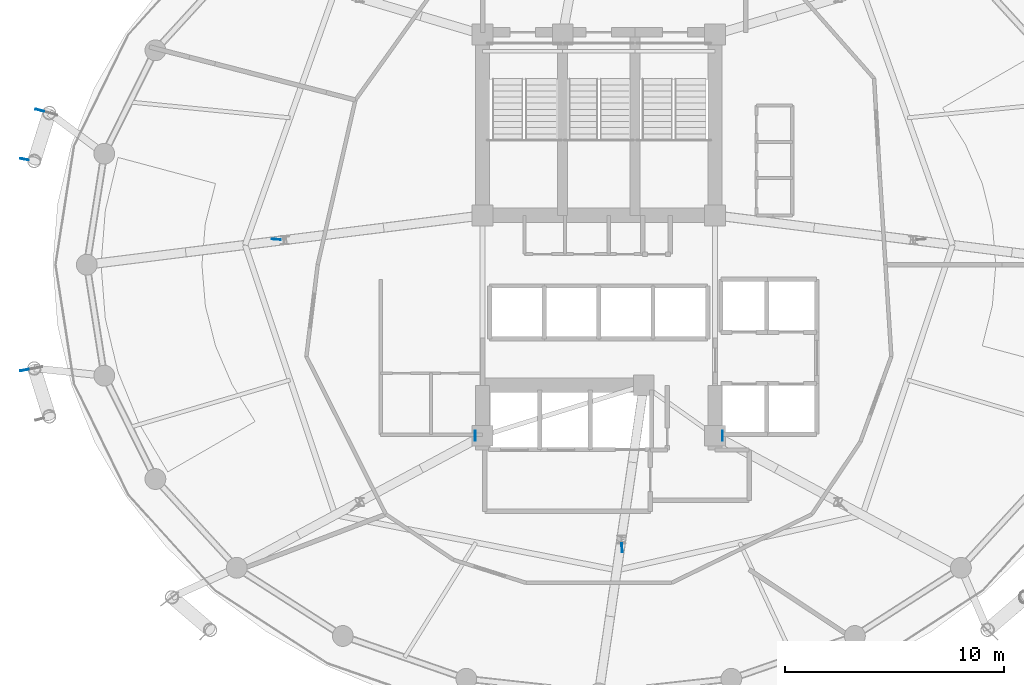
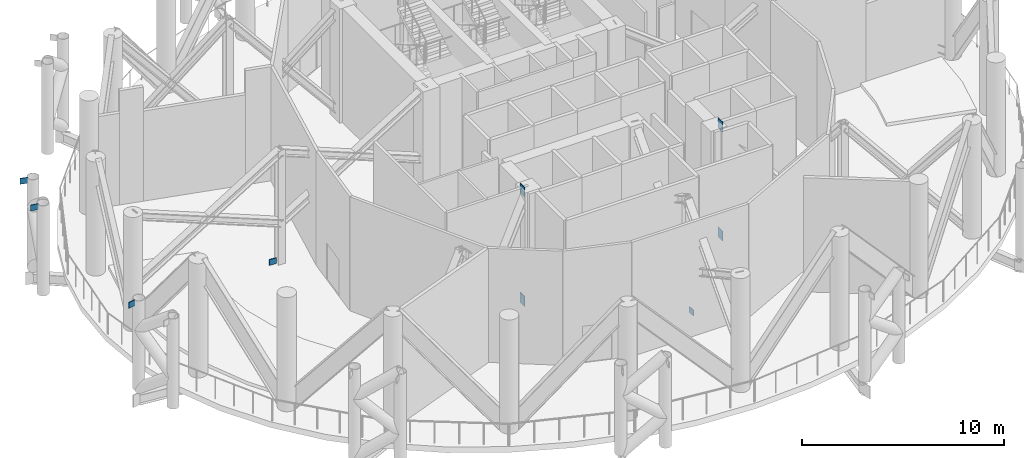
# One storey, part 11 of 18: 9 discrete accessories.
"""IFC4 building model written with IfcOpenShell, lengths in metres."""

from ifc_helpers import new_model, si_unit, direction, frame, origin, origin_2d, place, context, subcontext, project, spatial, rectangle, extrude, material, type_object, element, save


model = new_model("IFC4")

# Units and contexts
model_context = context("Model", 3, precision=1e-05, world=origin(), true_north=direction((0.0, 1.0)))
body_context = subcontext(model_context, "Body", "Model", "MODEL_VIEW")
ifc_project = project(units=[si_unit("LENGTHUNIT", "METRE"), si_unit("AREAUNIT", "SQUARE_METRE"), si_unit("VOLUMEUNIT", "CUBIC_METRE"), si_unit("PLANEANGLEUNIT", "RADIAN"), si_unit("MASSUNIT", "GRAM", prefix="KILO")], contexts=[model_context])

# Site, building, storey
site_placement = place(None, origin())
site = spatial("IfcSite", under=ifc_project, at=site_placement, CompositionType="ELEMENT")
building_placement = place(site_placement, origin())
building = spatial("IfcBuilding", under=site, at=building_placement, Name="Nuhasar Tower", CompositionType="ELEMENT")
storey_placement = place(building_placement, frame((0.0, 0.0, 195.949951171875)))
storey = spatial("IfcBuildingStorey", under=building, at=storey_placement, Name="L48", CompositionType="ELEMENT", Elevation=195.949951171875)

# Discrete accessories
ifc_material = material(Name="Steel S460", Category="steel")
discrete_accessory_type_1 = type_object("IfcDiscreteAccessoryType", Name="ACC-EMB-30", PredefinedType="USERDEFINED", material=ifc_material)
for number, where, z_axis, x_axis, name in (
    (1, (33.360107421875, 19.0, -0.14990234375), (0.0, 0.0, 1.0), (1.0, 0.0, 0.0), "L48 Outrigger Diagonal Core Wall Cast-in Plate 01-LO"),
    (2, (33.360107421875, 19.0, 6.429931640625), (0.0, 0.0, 1.0), (1.0, 0.0, 0.0), "L48 Outrigger Diagonal Core Wall Cast-in Plate 01-HI"),
    (3, (44.639892578125, 19.0, -0.14990234375), (0.0, 0.0, 1.0), (1.0, 0.0, 0.0), "L48 Outrigger Diagonal Core Wall Cast-in Plate 03-LO"),
    (4, (44.639892578125, 19.0, 6.429931640625), (0.0, 0.0, 1.0), (1.0, 0.0, 0.0), "L48 Outrigger Diagonal Core Wall Cast-in Plate 03-HI"),
):
    element("IfcDiscreteAccessory", number, at=place(storey_placement, frame(where, z_axis=z_axis, x_axis=x_axis)), inside=storey, type_object=discrete_accessory_type_1, Name=name, ObjectType="CAST_IN_PLATE", PredefinedType="USERDEFINED", context=body_context, shape_type="SweptSolid", body=[
        extrude(rectangle(XDim=0.030029296875, YDim=0.449951171875, at=origin_2d()), origin(), (0.0, 0.0, 1.0), 0.60009765625),
    ])
discrete_accessory_type_2 = type_object("IfcDiscreteAccessoryType", Name="ACC-GUS-40", PredefinedType="USERDEFINED", material=ifc_material)
for number, where, z_axis, x_axis, name in (
    (5, (13.5009765625, 33.842041015625, 5.080078125), (0.0, 0.0, 1.0), (-0.963914422589, 0.266212294842, 0.0), "L48 Exoskeleton Chord Column EC-06A Gusset Plate"),
    (6, (12.803955078125, 31.60791015625, 5.080078125), (0.0, 0.0, 1.0), (-0.98356832001, 0.180536311784, 0.0), "L48 Exoskeleton Chord Column EC-06B Gusset Plate"),
    (7, (12.803955078125, 21.991943359375, 5.080078125), (0.0, 0.0, 1.0), (-0.98356832001, -0.180536311784, 0.0), "L48 Exoskeleton Chord Column EC-07A Gusset Plate"),
    (8, (40.055908203125, 13.89599609375, 0.0), (0.0, 0.0, 1.0), (0.081555821314, -0.996668775476, 0.0), "L48 Outrigger Truss Post 02 Gusset Plate"),
    (9, (24.2958984375, 27.955078125, 0.0), (0.0, 0.0, 1.0), (-0.996931012245, 0.078285099635, 0.0), "L48 Outrigger Truss Post 08 Gusset Plate"),
):
    element("IfcDiscreteAccessory", number, at=place(storey_placement, frame(where, z_axis=z_axis, x_axis=x_axis)), inside=storey, type_object=discrete_accessory_type_2, Name=name, ObjectType="STEEL_GUSSET_PLATE", PredefinedType="USERDEFINED", context=body_context, shape_type="SweptSolid", body=[
        extrude(rectangle(XDim=0.39990234375, YDim=0.0400390625, at=origin_2d()), origin(), (0.0, 0.0, 1.0), 0.35009765625),
    ])

save(model, "model.ifc")
